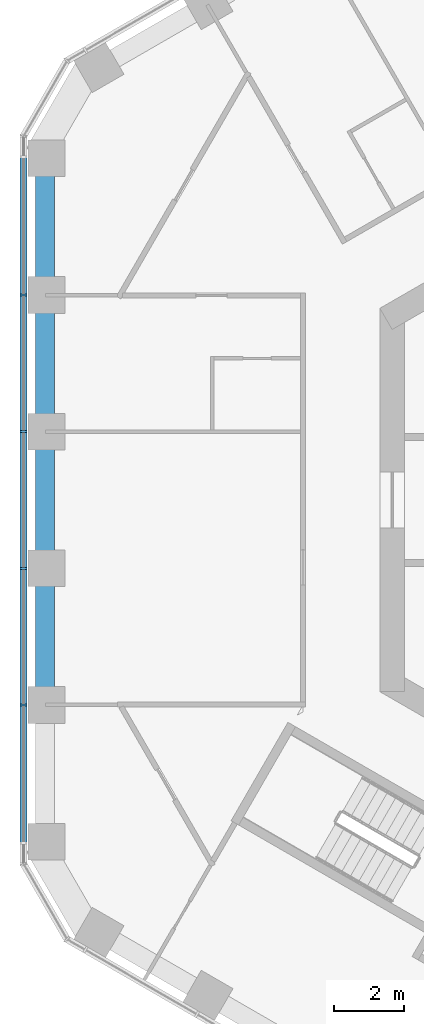
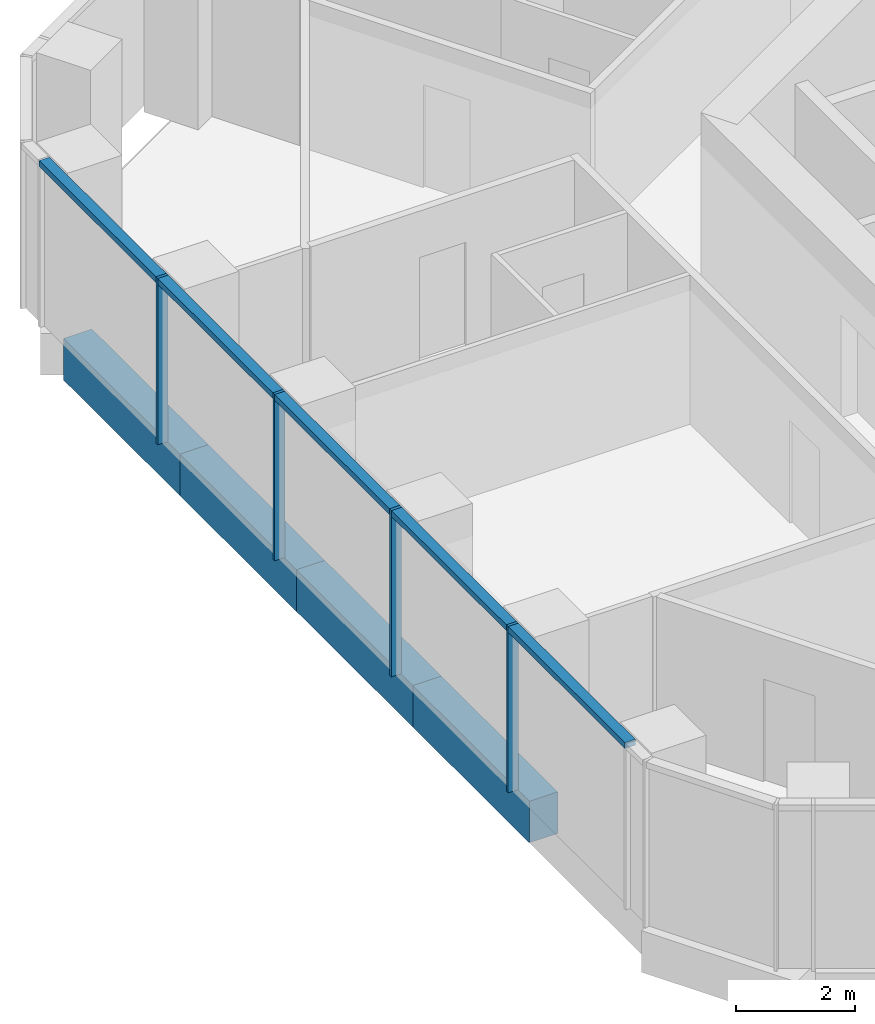
# One storey, part 4 of 19: 5 members, 4 beams, 1 element without a shape of its own.
"""IFC4 building model written with IfcOpenShell, lengths in metres."""

import ifcopenshell
import ifcopenshell.guid

model = None  # the IFC model being written
_history = None  # IfcOwnerHistory: only IFC2X3 demands one
_inside = {}  # id of a spatial element -> (the spatial element, [elements in it])
_under = {}  # id of a project, library or spatial element -> (it, [spatial elements below it])
_declared = {}  # id of a project -> (the project, [libraries it declares])
_typed = {}  # id of a type object -> (the type object, [elements of that type])
_made_of = {}  # id of a material, layer set ... -> (it, [elements and type objects made of it])


def new_model(schema):
    """Start an empty IFC model of exactly this schema.

    Asked for "IFC4X3", IfcOpenShell would pick the latest addendum, in which some entities
    have other attributes; the version numbers below select the first issue.
    IFC2X3 requires an IfcOwnerHistory on every rooted entity: one is made here for all.
    """
    global model, _history
    if schema == "IFC4X3":
        model = ifcopenshell.file(schema_version=(4, 3, 0, 0))
    else:
        model = ifcopenshell.file(schema=schema)
    _inside.clear()
    _under.clear()
    _declared.clear()
    _typed.clear()
    _made_of.clear()
    _history = None
    if model.schema == "IFC2X3":
        org = make("IfcOrganization", Name="unknown")
        user = make(
            "IfcPersonAndOrganization",
            ThePerson=make("IfcPerson", FamilyName="unknown"),
            TheOrganization=org,
        )
        app = make(
            "IfcApplication",
            ApplicationDeveloper=org,
            Version="unknown",
            ApplicationFullName="unknown",
            ApplicationIdentifier="unknown",
        )
        _history = make(
            "IfcOwnerHistory",
            OwningUser=user,
            OwningApplication=app,
            ChangeAction="ADDED",
            CreationDate=0,
        )
    return model


def make(cls, **values):
    """One entity of the class cls with the attributes given. An attribute that is None is left unset."""
    return model.create_entity(
        cls, **{name: value for name, value in values.items() if value is not None}
    )


def rooted(cls, **values):
    """An entity with a GlobalId (a new one), such as an element, a storey or a relation."""
    return make(cls, GlobalId=ifcopenshell.guid.new(), OwnerHistory=_history, **values)


def si_unit(unit_type, name, prefix=None):
    """IfcSIUnit, for example si_unit("LENGTHUNIT", "METRE", prefix="MILLI")."""
    return make("IfcSIUnit", UnitType=unit_type, Prefix=prefix, Name=name)


def assignment(units):
    """IfcUnitAssignment: the units of a project."""
    return None if units is None else make("IfcUnitAssignment", Units=units)


def point(xyz):
    """IfcCartesianPoint."""
    return None if xyz is None else make("IfcCartesianPoint", Coordinates=xyz)


def direction(xyz):
    """IfcDirection."""
    return None if xyz is None else make("IfcDirection", DirectionRatios=xyz)


def frame(location, z_axis=None, x_axis=None):
    """IfcAxis2Placement3D, a coordinate frame: its origin and axes. An axis left out is left unset."""
    return make(
        "IfcAxis2Placement3D",
        Location=point(location),
        Axis=direction(z_axis),
        RefDirection=direction(x_axis),
    )


def frame_2d(location, x_axis=None):
    """IfcAxis2Placement2D, a coordinate frame in the plane: its origin and x axis."""
    return make(
        "IfcAxis2Placement2D", Location=point(location), RefDirection=direction(x_axis)
    )


def origin():
    """The frame at (0, 0, 0) with its axes left unset."""
    return frame((0.0, 0.0, 0.0))


def origin_2d():
    """The frame at (0, 0) in the plane with its x axis left unset."""
    return frame_2d((0.0, 0.0))


def place(relative_to, where):
    """IfcLocalPlacement: puts the frame where relative to a parent placement (None: the world)."""
    return make(
        "IfcLocalPlacement", PlacementRelTo=relative_to, RelativePlacement=where
    )


def context(
    kind, dimensions, precision=None, world=None, true_north=None, identifier=None
):
    """IfcGeometricRepresentationContext, for example the 3D "Model" context."""
    return make(
        "IfcGeometricRepresentationContext",
        ContextIdentifier=identifier,
        ContextType=kind,
        CoordinateSpaceDimension=dimensions,
        Precision=precision,
        WorldCoordinateSystem=world,
        TrueNorth=true_north,
    )


def subcontext(parent, identifier, kind, view, scale=None):
    """IfcGeometricRepresentationSubContext, for example "Body" below "Model"."""
    return make(
        "IfcGeometricRepresentationSubContext",
        ContextIdentifier=identifier,
        ContextType=kind,
        ParentContext=parent,
        TargetScale=scale,
        TargetView=view,
    )


def project(units=None, contexts=None):
    """IfcProject with its units and contexts."""
    return rooted(
        "IfcProject",
        Name="project",
        RepresentationContexts=contexts,
        UnitsInContext=assignment(units),
    )


def spatial(cls, under=None, at=None, **own):
    """A site, building, storey or space (cls), placed at a placement, below another one or the project."""
    s = rooted(cls, ObjectPlacement=at, **own)
    if under is not None:
        _under.setdefault(under.id(), (under, []))[1].append(s)
    return s


def profile(cls, at=None, kind="AREA", **sizes):
    """A parametric profile (cls). Its sizes go by their IFC names, for example OverallWidth=200.0."""
    return make(cls, ProfileType=kind, Position=at, **sizes)


def rectangle(**sizes):
    """IfcRectangleProfileDef."""
    return profile("IfcRectangleProfileDef", **sizes)


def extrude(swept, where, along, depth):
    """IfcExtrudedAreaSolid: the profile swept, set in the frame where, extruded along a direction by depth."""
    return make(
        "IfcExtrudedAreaSolid",
        SweptArea=swept,
        Position=where,
        ExtrudedDirection=direction(along),
        Depth=depth,
    )


def shape(context_of_items, identifier, shape_type, items):
    """IfcShapeRepresentation: the items that make up one representation, for example the "Body"."""
    return make(
        "IfcShapeRepresentation",
        ContextOfItems=context_of_items,
        RepresentationIdentifier=identifier,
        RepresentationType=shape_type,
        Items=items,
    )


def material(Name=None, Category=None):
    """IfcMaterial."""
    return make("IfcMaterial", Name=Name, Category=Category)


def layer(
    of_material, thickness, ventilated=None, Name=None, Category=None, Priority=None
):
    """IfcMaterialLayer: one layer of a wall or slab, of a material (None: an air gap)."""
    return make(
        "IfcMaterialLayer",
        Material=of_material,
        LayerThickness=thickness,
        IsVentilated=ventilated,
        Name=Name,
        Category=Category,
        Priority=Priority,
    )


def layer_set(layers, Name=None):
    """IfcMaterialLayerSet."""
    return make("IfcMaterialLayerSet", MaterialLayers=layers, LayerSetName=Name)


def material_profile(
    of_material, cross_section, Name=None, Category=None, Priority=None
):
    """IfcMaterialProfile: a cross section and its material."""
    return make(
        "IfcMaterialProfile",
        Name=Name,
        Material=of_material,
        Profile=cross_section,
        Priority=Priority,
        Category=Category,
    )


def profile_set(profiles, Name=None, composite=None):
    """IfcMaterialProfileSet."""
    return make(
        "IfcMaterialProfileSet",
        Name=Name,
        MaterialProfiles=profiles,
        CompositeProfile=composite,
    )


def made_of(thing, what):
    """Note that an element or type object is made of a material, layer set ...; save() writes the relation."""
    if what is not None:
        _made_of.setdefault(what.id(), (what, []))[1].append(thing)
    return thing


def type_object(cls, material=None, **own):
    """A type object (cls), such as IfcWallType, which elements share."""
    return made_of(rooted(cls, **own), material)


def element(
    cls,
    number,
    at=None,
    inside=None,
    cuts=None,
    type_object=None,
    material=None,
    context=None,
    identifier="Body",
    shape_type=None,
    held_by="IfcProductDefinitionShape",
    body=None,
    shapes=None,
    **own,
):
    """One element of the class cls, such as IfcWall. Its Tag is "e" and its number.

    at: its placement. inside: the storey or other place that contains it. cuts: it is an
    opening in that element (IfcRelVoidsElement). A single representation is given by context,
    identifier, shape_type and body (its items); several are given by shapes. held_by: the class
    of the entity that holds the representations. save() writes the other relations.
    """
    e = rooted(cls, Tag="e%d" % number, ObjectPlacement=at, **own)
    if body is not None:
        shapes = [shape(context, identifier, shape_type, body)]
    if shapes is not None:
        e.Representation = make(held_by, Representations=shapes)
    if inside is not None:
        _inside.setdefault(inside.id(), (inside, []))[1].append(e)
    if cuts is not None:
        rooted(
            "IfcRelVoidsElement", RelatingBuildingElement=cuts, RelatedOpeningElement=e
        )
    if type_object is not None:
        _typed.setdefault(type_object.id(), (type_object, []))[1].append(e)
    return made_of(e, material)


def aggregate(whole, parts):
    """IfcRelAggregates: a whole, such as a stair, and the parts it consists of."""
    return rooted("IfcRelAggregates", RelatingObject=whole, RelatedObjects=parts)


def save(model, path):
    """Write the relations noted so far, then the file.

    IfcRelAggregates (storeys below a building ...), IfcRelContainedInSpatialStructure (elements
    in a storey), IfcRelDefinesByType, IfcRelAssociatesMaterial and IfcRelDeclares: one each for
    every whole, place, type object, material and project.
    """
    for whole, parts in _under.values():
        aggregate(whole, parts)
    for where, things in _inside.values():
        rooted(
            "IfcRelContainedInSpatialStructure",
            RelatedElements=things,
            RelatingStructure=where,
        )
    for kind, things in _typed.values():
        rooted("IfcRelDefinesByType", RelatedObjects=things, RelatingType=kind)
    for what, things in _made_of.values():
        rooted("IfcRelAssociatesMaterial", RelatedObjects=things, RelatingMaterial=what)
    for by, libraries in _declared.values():
        rooted("IfcRelDeclares", RelatingContext=by, RelatedDefinitions=libraries)
    model.write(path)


model = new_model("IFC4")

# Units and contexts
model_context = context("Model", 3, precision=1e-05, world=origin(), true_north=direction((0.0, 1.0)))
body_context = subcontext(model_context, "Body", "Model", "MODEL_VIEW")
ifc_project = project(units=[si_unit("LENGTHUNIT", "METRE"), si_unit("AREAUNIT", "SQUARE_METRE"), si_unit("VOLUMEUNIT", "CUBIC_METRE"), si_unit("PLANEANGLEUNIT", "RADIAN"), si_unit("MASSUNIT", "GRAM", prefix="KILO")], contexts=[model_context])

# Site, building, storey
site_placement = place(None, origin())
site = spatial("IfcSite", under=ifc_project, at=site_placement, CompositionType="ELEMENT")
building_placement = place(site_placement, origin())
building = spatial("IfcBuilding", under=site, at=building_placement, Name="Ayvan Gate Tower", CompositionType="ELEMENT")
storey_placement = place(building_placement, frame((0.0, 0.0, 106.89990234375)))
storey = spatial("IfcBuildingStorey", under=building, at=storey_placement, Name="L28", CompositionType="ELEMENT", Elevation=106.89990234375)

# Beams
ifc_material_1 = material(Name="Concrete C40/50", Category="concrete")
ifc_material_profile_1 = material_profile(ifc_material_1, rectangle(XDim=0.550048828125, YDim=0.85009765625, at=origin_2d()), Name="RC 550x850")
ifc_profile_set_1 = profile_set([ifc_material_profile_1], Name="Concrete C40/50")
beam_type = type_object("IfcBeamType", Name="Spandrel beam RC 550x850 C40/50", PredefinedType="BEAM", material=ifc_profile_set_1)
beam_1_placement = place(storey_placement, frame((-19.083740234375, 9.75, -0.77490234375), z_axis=(0.0, -1.0, 0.0), x_axis=(1.0, 0.0, 0.0)))
element("IfcBeam", 1, at=beam_1_placement, inside=storey, type_object=beam_type, Name="SB-L28-19", PredefinedType="BEAM", context=body_context, shape_type="SweptSolid", body=[
    extrude(rectangle(XDim=0.550048828125, YDim=0.85009765625, at=origin_2d()), origin(), (0.0, 0.0, 1.0), 3.89990234375),
])
beam_2_placement = place(storey_placement, frame((-19.083740234375, 5.85009765625, -0.77490234375), z_axis=(0.0, -1.0, 0.0), x_axis=(1.0, 0.0, 0.0)))
element("IfcBeam", 2, at=beam_2_placement, inside=storey, type_object=beam_type, Name="SB-L28-20", PredefinedType="BEAM", context=body_context, shape_type="SweptSolid", body=[
    extrude(rectangle(XDim=0.550048828125, YDim=0.85009765625, at=origin_2d()), origin(), (0.0, 0.0, 1.0), 3.900146484375),
])
beam_3_placement = place(storey_placement, frame((-19.083740234375, 1.949951171875, -0.77490234375), z_axis=(0.0, -1.0, 0.0), x_axis=(1.0, 0.0, 0.0)))
element("IfcBeam", 3, at=beam_3_placement, inside=storey, type_object=beam_type, Name="SB-L28-21", PredefinedType="BEAM", context=body_context, shape_type="SweptSolid", body=[
    extrude(rectangle(XDim=0.550048828125, YDim=0.85009765625, at=origin_2d()), origin(), (0.0, 0.0, 1.0), 3.89990234375),
])
beam_4_placement = place(storey_placement, frame((-19.083740234375, -1.949951171875, -0.77490234375), z_axis=(0.0, -1.0, 0.0), x_axis=(1.0, 0.0, 0.0)))
element("IfcBeam", 4, at=beam_4_placement, inside=storey, type_object=beam_type, Name="SB-L28-22", PredefinedType="BEAM", context=body_context, shape_type="SweptSolid", body=[
    extrude(rectangle(XDim=0.550048828125, YDim=0.85009765625, at=origin_2d()), origin(), (0.0, 0.0, 1.0), 3.900146484375),
])

# Curtain wall, members
ifc_material_2 = material(Name="Bronze anodised aluminium", Category="aluminium")
ifc_layer = layer(ifc_material_2, 0.199951171875)
ifc_layer_set = layer_set([ifc_layer], Name="Bronze anodised aluminium")
curtain_wall_type = type_object("IfcCurtainWallType", Name="Stick curtain wall CW-1", PredefinedType="NOTDEFINED", material=ifc_layer_set)
curtain_wall_placement = place(storey_placement, origin())
curtain_wall = element("IfcCurtainWall", 5, at=curtain_wall_placement, inside=storey, type_object=curtain_wall_type, Name="Stick curtain wall CW-1 L28", PredefinedType="NOTDEFINED")
ifc_material_profile_2 = material_profile(ifc_material_2, rectangle(XDim=0.199951171875, YDim=0.06005859375, at=origin_2d()), Name="Stick curtain wall CW-1 mullion 200 x 60")
ifc_profile_set_2 = profile_set([ifc_material_profile_2], Name="Bronze anodised aluminium")
member_type_1 = type_object("IfcMemberType", Name="Stick curtain wall CW-1 mullion 200 x 60", PredefinedType="MULLION", material=ifc_profile_set_2)
member_1_placement = place(storey_placement, frame((-19.695068359375, 5.864990234375, 0.0), z_axis=(0.0, 0.0, 1.0), x_axis=(-1.0, 0.0, 0.0)))
member_1 = element("IfcMember", 6, at=member_1_placement, type_object=member_type_1, Name="CW-1 mullion 2", PredefinedType="MULLION", context=body_context, shape_type="SweptSolid", body=[
    extrude(rectangle(XDim=0.199951171875, YDim=0.06005859375, at=origin_2d()), origin(), (0.0, 0.0, 1.0), 3.400146484375),
])
member_2_placement = place(storey_placement, frame((-19.695068359375, 1.955078125, 0.0), z_axis=(0.0, 0.0, 1.0), x_axis=(-1.0, 0.0, 0.0)))
member_2 = element("IfcMember", 7, at=member_2_placement, type_object=member_type_1, Name="CW-1 mullion 3", PredefinedType="MULLION", context=body_context, shape_type="SweptSolid", body=[
    extrude(rectangle(XDim=0.199951171875, YDim=0.06005859375, at=origin_2d()), origin(), (0.0, 0.0, 1.0), 3.400146484375),
])
member_3_placement = place(storey_placement, frame((-19.695068359375, -1.954833984375, 0.0), z_axis=(0.0, 0.0, 1.0), x_axis=(-1.0, 0.0, 0.0)))
member_3 = element("IfcMember", 8, at=member_3_placement, type_object=member_type_1, Name="CW-1 mullion 4", PredefinedType="MULLION", context=body_context, shape_type="SweptSolid", body=[
    extrude(rectangle(XDim=0.199951171875, YDim=0.06005859375, at=origin_2d()), origin(), (0.0, 0.0, 1.0), 3.400146484375),
])
member_4_placement = place(storey_placement, frame((-19.695068359375, -5.864990234375, 0.0), z_axis=(0.0, 0.0, 1.0), x_axis=(-1.0, 0.0, 0.0)))
member_4 = element("IfcMember", 9, at=member_4_placement, type_object=member_type_1, Name="CW-1 mullion 5", PredefinedType="MULLION", context=body_context, shape_type="SweptSolid", body=[
    extrude(rectangle(XDim=0.199951171875, YDim=0.06005859375, at=origin_2d()), origin(), (0.0, 0.0, 1.0), 3.400146484375),
])
ifc_material_profile_3 = material_profile(ifc_material_2, rectangle(XDim=0.199951171875, YDim=0.1201171875, at=origin_2d()), Name="Stick curtain wall CW-1 transom 200 x 120")
ifc_profile_set_3 = profile_set([ifc_material_profile_3], Name="Bronze anodised aluminium")
member_type_2 = type_object("IfcMemberType", Name="Stick curtain wall CW-1 transom 200 x 120", PredefinedType="USERDEFINED", material=ifc_profile_set_3)
member_5_placement = place(storey_placement, frame((-19.695068359375, 9.81005859375, 3.340087890625), z_axis=(0.0, -1.0, 0.0), x_axis=(1.0, 0.0, 0.0)))
member_5 = element("IfcMember", 10, at=member_5_placement, type_object=member_type_2, Name="CW-1 transom 1", ObjectType="TRANSOM", PredefinedType="USERDEFINED", context=body_context, shape_type="SweptSolid", body=[
    extrude(rectangle(XDim=0.199951171875, YDim=0.1201171875, at=origin_2d()), origin(), (0.0, 0.0, 1.0), 19.6201171875),
])
aggregate(curtain_wall, [member_1, member_2, member_3, member_4, member_5])

save(model, "model.ifc")
